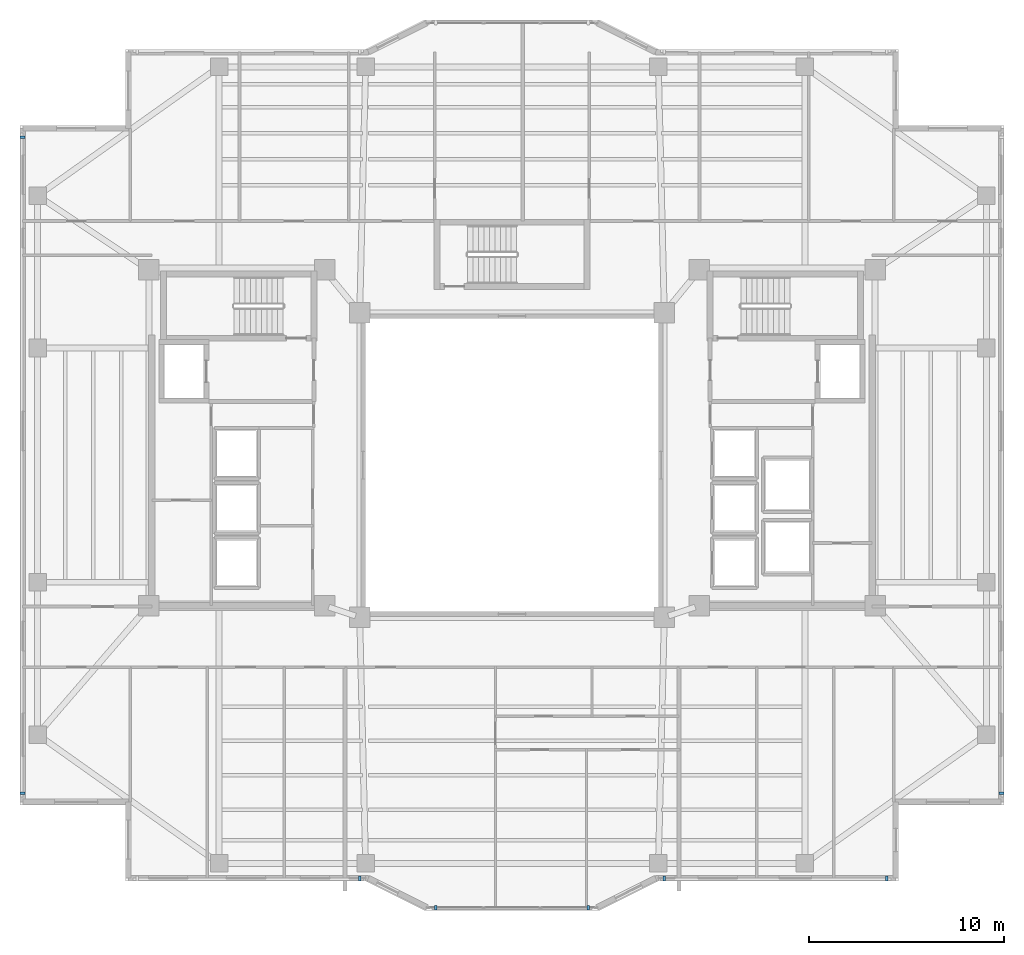
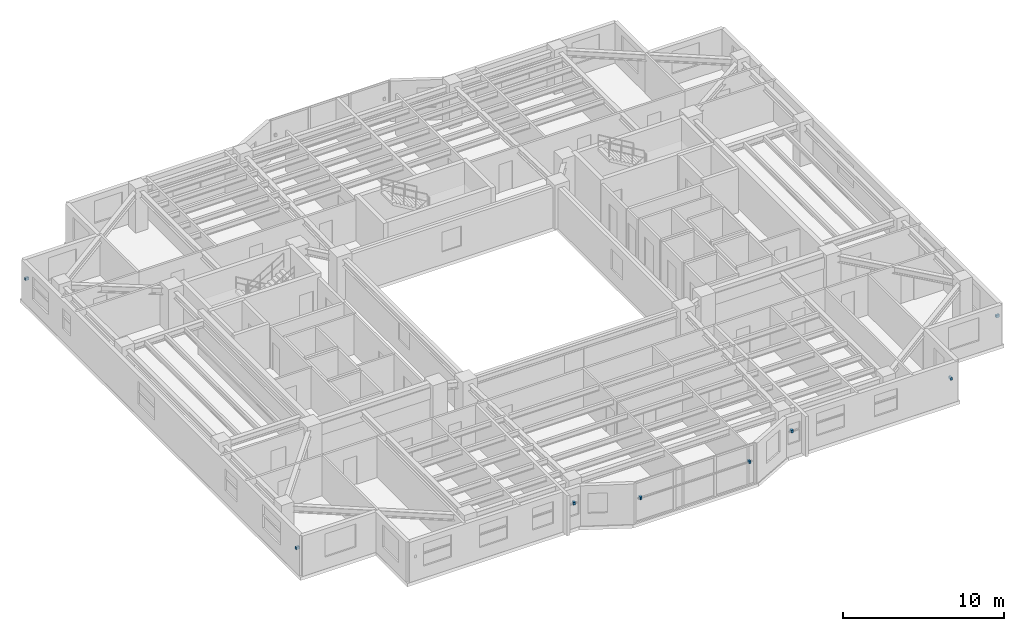
# One storey, part 11 of 15: 8 discrete accessories.
"""IFC4 building model written with IfcOpenShell, lengths in metres."""

from ifc_helpers import new_model, si_unit, direction, frame, origin, origin_2d, place, context, subcontext, project, spatial, rectangle, extrude, material, type_object, element, save


model = new_model("IFC4")

# Units and contexts
model_context = context("Model", 3, precision=1e-05, world=origin(), true_north=direction((0.0, 1.0)))
body_context = subcontext(model_context, "Body", "Model", "MODEL_VIEW")
ifc_project = project(units=[si_unit("LENGTHUNIT", "METRE"), si_unit("AREAUNIT", "SQUARE_METRE"), si_unit("VOLUMEUNIT", "CUBIC_METRE"), si_unit("PLANEANGLEUNIT", "RADIAN"), si_unit("MASSUNIT", "GRAM", prefix="KILO")], contexts=[model_context])

# Site, building, storey
site_placement = place(None, origin())
site = spatial("IfcSite", under=ifc_project, at=site_placement, CompositionType="ELEMENT")
building_placement = place(site_placement, origin())
building = spatial("IfcBuilding", under=site, at=building_placement, Name="Tarnavaz Court Tower", CompositionType="ELEMENT")
storey_placement = place(building_placement, frame((0.0, 0.0, 169.449951171875)))
storey = spatial("IfcBuildingStorey", under=building, at=storey_placement, Name="L46", CompositionType="ELEMENT", Elevation=169.449951171875)

# Discrete accessories
ifc_material = material(Name="Anodised Aluminium 6063-T6", Category="aluminium")
discrete_accessory_type = type_object("IfcDiscreteAccessoryType", Name="DA-BRKT-ALU", PredefinedType="BRACKET", material=ifc_material)
for number, where, z_axis, x_axis, name in (
    (1, (-25.070068359375, -16.800048828125, 1.75), (0.0, 0.0, 1.0), (0.0, 1.0, 0.0), "L46 Baguette Outrigger Bracket FBG02-1"),
    (2, (-25.070068359375, 16.800048828125, 1.75), (0.0, 0.0, 1.0), (0.0, 1.0, 0.0), "L46 Baguette Outrigger Bracket FBG02-2"),
    (3, (25.070068359375, -16.800048828125, 1.75), (0.0, 0.0, 1.0), (0.0, -1.0, 0.0), "L46 Baguette Outrigger Bracket FBG12-2"),
    (4, (19.199951171875, -21.169921875, 1.75), (0.0, 0.0, 1.0), (-1.0, 0.0, 0.0), "L46 Baguette Outrigger Bracket FBG15-1"),
    (5, (7.800048828125, -21.169921875, 1.75), (0.0, 0.0, 1.0), (-1.0, 0.0, 0.0), "L46 Baguette Outrigger Bracket FBG15-2"),
    (6, (3.89990234375, -22.669921875, 1.7001953125), (0.0, 0.0, 1.0), (-1.0, 0.0, 0.0), "L46 Baguette Outrigger Bracket PBG17-1"),
    (7, (-3.89990234375, -22.669921875, 1.7001953125), (0.0, 0.0, 1.0), (-1.0, 0.0, 0.0), "L46 Baguette Outrigger Bracket PBG17-2"),
    (8, (-7.800048828125, -21.169921875, 1.75), (0.0, 0.0, 1.0), (-1.0, 0.0, 0.0), "L46 Baguette Outrigger Bracket FBG19-1"),
):
    element("IfcDiscreteAccessory", number, at=place(storey_placement, frame(where, z_axis=z_axis, x_axis=x_axis)), inside=storey, type_object=discrete_accessory_type, Name=name, PredefinedType="BRACKET", context=body_context, shape_type="SweptSolid", body=[
        extrude(rectangle(XDim=0.139892578125, YDim=0.239990234375, at=origin_2d()), origin(), (0.0, 0.0, 1.0), 0.199951171875),
    ])

save(model, "model.ifc")
